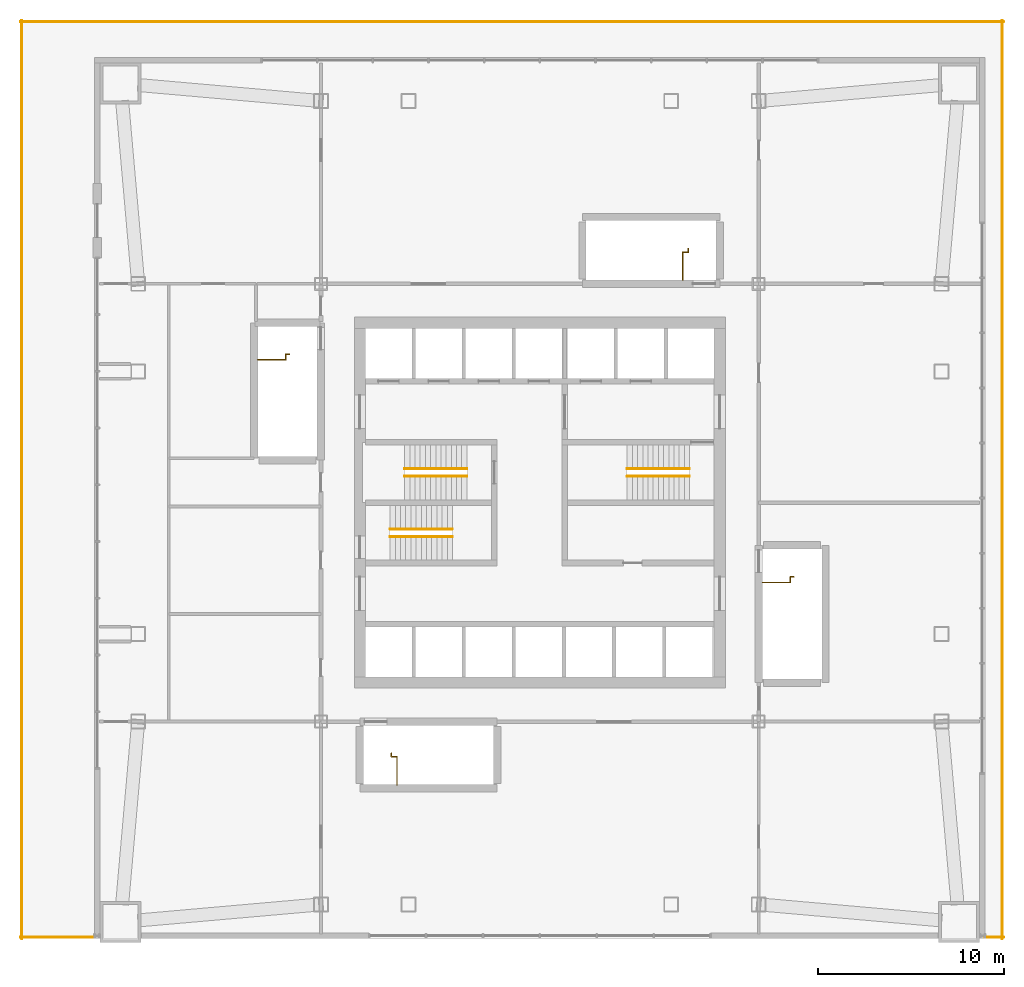
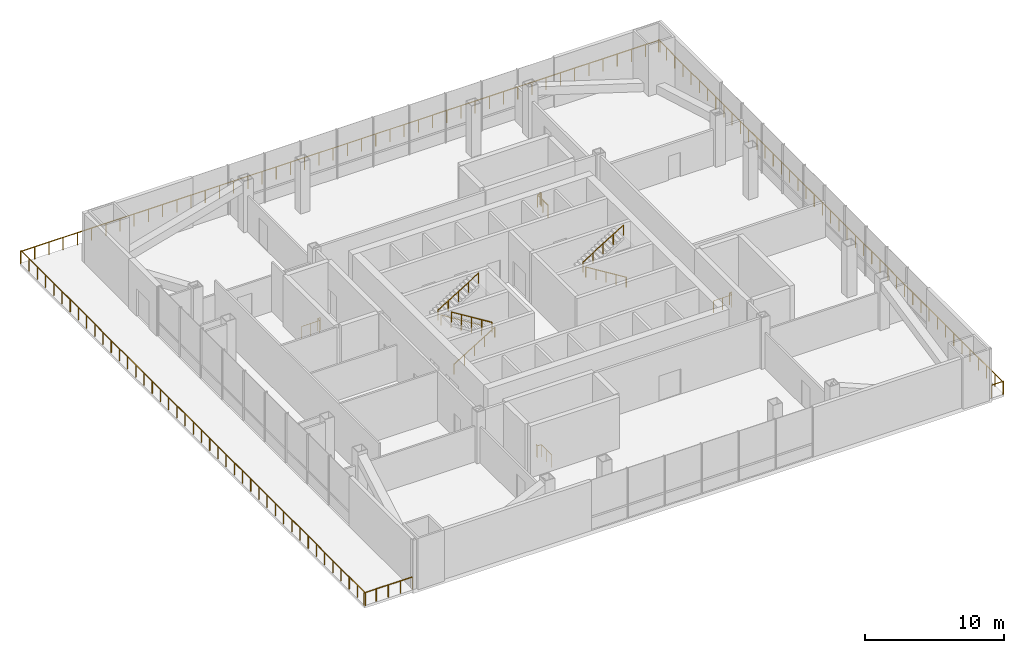
# One storey, part 15 of 15: 15 railings.
"""IFC4 building model written with IfcOpenShell, lengths in metres."""

from ifc_helpers import new_model, si_unit, direction, frame, origin, origin_2d, place, context, subcontext, project, spatial, circle, extrude, material, type_object, element, save


model = new_model("IFC4")

# Units and contexts
model_context = context("Model", 3, precision=1e-05, world=origin(), true_north=direction((0.0, 1.0)))
body_context = subcontext(model_context, "Body", "Model", "MODEL_VIEW")
ifc_project = project(units=[si_unit("LENGTHUNIT", "METRE"), si_unit("AREAUNIT", "SQUARE_METRE"), si_unit("VOLUMEUNIT", "CUBIC_METRE"), si_unit("PLANEANGLEUNIT", "RADIAN"), si_unit("MASSUNIT", "GRAM", prefix="KILO")], contexts=[model_context])

# Site, building, storey
site_placement = place(None, origin())
site = spatial("IfcSite", under=ifc_project, at=site_placement, CompositionType="ELEMENT")
building_placement = place(site_placement, origin())
building = spatial("IfcBuilding", under=site, at=building_placement, Name="Turquesa Mirador Hotel Tower", CompositionType="ELEMENT")
storey_placement = place(building_placement, frame((0.0, 0.0, 20.5)))
storey = spatial("IfcBuildingStorey", under=building, at=storey_placement, Name="L04", CompositionType="ELEMENT", Elevation=20.5)

# Railings
ifc_material_1 = material(Name="Bronze-finish steel and laminated glass", Category="steel")
railing_type_1 = type_object("IfcRailingType", Name="GUARD 1100 BRONZE AND GLASS", PredefinedType="GUARDRAIL", material=ifc_material_1)
railing_1_placement = place(storey_placement, frame((27.080078125, 21.5, 0.0)))
element("IfcRailing", 1, at=railing_1_placement, inside=storey, type_object=railing_type_1, Name="Terrace guard L04", PredefinedType="GUARDRAIL", context=body_context, shape_type="SweptSolid", body=[
    extrude(circle(Radius=0.02392578125, at=origin_2d()), frame((0.0, 0.0, 1.076171875), z_axis=(0.0, 1.0, 0.0), x_axis=(-1.0, 0.0, 0.0)), (0.0, 0.0, 1.0), 49.5),
    extrude(circle(Radius=0.02099609375, at=origin_2d()), origin(), (0.0, 0.0, 1.0), 1.052001953125),
    extrude(circle(Radius=0.02099609375, at=origin_2d()), frame((0.0, 1.178466796875, 0.0)), (0.0, 0.0, 1.0), 1.052001953125),
    extrude(circle(Radius=0.02099609375, at=origin_2d()), frame((0.0, 2.357177734375, 0.0)), (0.0, 0.0, 1.0), 1.052001953125),
    extrude(circle(Radius=0.02099609375, at=origin_2d()), frame((0.0, 3.53564453125, 0.0)), (0.0, 0.0, 1.0), 1.052001953125),
    extrude(circle(Radius=0.02099609375, at=origin_2d()), frame((0.0, 4.71435546875, 0.0)), (0.0, 0.0, 1.0), 1.052001953125),
    extrude(circle(Radius=0.02099609375, at=origin_2d()), frame((0.0, 5.892822265625, 0.0)), (0.0, 0.0, 1.0), 1.052001953125),
    extrude(circle(Radius=0.02099609375, at=origin_2d()), frame((0.0, 7.071533203125, 0.0)), (0.0, 0.0, 1.0), 1.052001953125),
    extrude(circle(Radius=0.02099609375, at=origin_2d()), frame((0.0, 8.25, 0.0)), (0.0, 0.0, 1.0), 1.052001953125),
    extrude(circle(Radius=0.02099609375, at=origin_2d()), frame((0.0, 9.428466796875, 0.0)), (0.0, 0.0, 1.0), 1.052001953125),
    extrude(circle(Radius=0.02099609375, at=origin_2d()), frame((0.0, 10.607177734375, 0.0)), (0.0, 0.0, 1.0), 1.052001953125),
    extrude(circle(Radius=0.02099609375, at=origin_2d()), frame((0.0, 11.78564453125, 0.0)), (0.0, 0.0, 1.0), 1.052001953125),
    extrude(circle(Radius=0.02099609375, at=origin_2d()), frame((0.0, 12.96435546875, 0.0)), (0.0, 0.0, 1.0), 1.052001953125),
    extrude(circle(Radius=0.02099609375, at=origin_2d()), frame((0.0, 14.142822265625, 0.0)), (0.0, 0.0, 1.0), 1.052001953125),
    extrude(circle(Radius=0.02099609375, at=origin_2d()), frame((0.0, 15.321533203125, 0.0)), (0.0, 0.0, 1.0), 1.052001953125),
    extrude(circle(Radius=0.02099609375, at=origin_2d()), frame((0.0, 16.5, 0.0)), (0.0, 0.0, 1.0), 1.052001953125),
    extrude(circle(Radius=0.02099609375, at=origin_2d()), frame((0.0, 17.678466796875, 0.0)), (0.0, 0.0, 1.0), 1.052001953125),
    extrude(circle(Radius=0.02099609375, at=origin_2d()), frame((0.0, 18.857177734375, 0.0)), (0.0, 0.0, 1.0), 1.052001953125),
    extrude(circle(Radius=0.02099609375, at=origin_2d()), frame((0.0, 20.03564453125, 0.0)), (0.0, 0.0, 1.0), 1.052001953125),
    extrude(circle(Radius=0.02099609375, at=origin_2d()), frame((0.0, 21.21435546875, 0.0)), (0.0, 0.0, 1.0), 1.052001953125),
    extrude(circle(Radius=0.02099609375, at=origin_2d()), frame((0.0, 22.392822265625, 0.0)), (0.0, 0.0, 1.0), 1.052001953125),
    extrude(circle(Radius=0.02099609375, at=origin_2d()), frame((0.0, 23.571533203125, 0.0)), (0.0, 0.0, 1.0), 1.052001953125),
    extrude(circle(Radius=0.02099609375, at=origin_2d()), frame((0.0, 24.75, 0.0)), (0.0, 0.0, 1.0), 1.052001953125),
    extrude(circle(Radius=0.02099609375, at=origin_2d()), frame((0.0, 25.928466796875, 0.0)), (0.0, 0.0, 1.0), 1.052001953125),
    extrude(circle(Radius=0.02099609375, at=origin_2d()), frame((0.0, 27.107177734375, 0.0)), (0.0, 0.0, 1.0), 1.052001953125),
    extrude(circle(Radius=0.02099609375, at=origin_2d()), frame((0.0, 28.28564453125, 0.0)), (0.0, 0.0, 1.0), 1.052001953125),
    extrude(circle(Radius=0.02099609375, at=origin_2d()), frame((0.0, 29.46435546875, 0.0)), (0.0, 0.0, 1.0), 1.052001953125),
    extrude(circle(Radius=0.02099609375, at=origin_2d()), frame((0.0, 30.642822265625, 0.0)), (0.0, 0.0, 1.0), 1.052001953125),
    extrude(circle(Radius=0.02099609375, at=origin_2d()), frame((0.0, 31.821533203125, 0.0)), (0.0, 0.0, 1.0), 1.052001953125),
    extrude(circle(Radius=0.02099609375, at=origin_2d()), frame((0.0, 33.0, 0.0)), (0.0, 0.0, 1.0), 1.052001953125),
    extrude(circle(Radius=0.02099609375, at=origin_2d()), frame((0.0, 34.178466796875, 0.0)), (0.0, 0.0, 1.0), 1.052001953125),
    extrude(circle(Radius=0.02099609375, at=origin_2d()), frame((0.0, 35.357177734375, 0.0)), (0.0, 0.0, 1.0), 1.052001953125),
    extrude(circle(Radius=0.02099609375, at=origin_2d()), frame((0.0, 36.53564453125, 0.0)), (0.0, 0.0, 1.0), 1.052001953125),
    extrude(circle(Radius=0.02099609375, at=origin_2d()), frame((0.0, 37.71435546875, 0.0)), (0.0, 0.0, 1.0), 1.052001953125),
    extrude(circle(Radius=0.02099609375, at=origin_2d()), frame((0.0, 38.892822265625, 0.0)), (0.0, 0.0, 1.0), 1.052001953125),
    extrude(circle(Radius=0.02099609375, at=origin_2d()), frame((0.0, 40.071533203125, 0.0)), (0.0, 0.0, 1.0), 1.052001953125),
    extrude(circle(Radius=0.02099609375, at=origin_2d()), frame((0.0, 41.25, 0.0)), (0.0, 0.0, 1.0), 1.052001953125),
    extrude(circle(Radius=0.02099609375, at=origin_2d()), frame((0.0, 42.428466796875, 0.0)), (0.0, 0.0, 1.0), 1.052001953125),
    extrude(circle(Radius=0.02099609375, at=origin_2d()), frame((0.0, 43.607177734375, 0.0)), (0.0, 0.0, 1.0), 1.052001953125),
    extrude(circle(Radius=0.02099609375, at=origin_2d()), frame((0.0, 44.78564453125, 0.0)), (0.0, 0.0, 1.0), 1.052001953125),
    extrude(circle(Radius=0.02099609375, at=origin_2d()), frame((0.0, 45.96435546875, 0.0)), (0.0, 0.0, 1.0), 1.052001953125),
    extrude(circle(Radius=0.02099609375, at=origin_2d()), frame((0.0, 47.142822265625, 0.0)), (0.0, 0.0, 1.0), 1.052001953125),
    extrude(circle(Radius=0.02099609375, at=origin_2d()), frame((0.0, 48.321533203125, 0.0)), (0.0, 0.0, 1.0), 1.052001953125),
    extrude(circle(Radius=0.02099609375, at=origin_2d()), frame((0.0, 49.5, 0.0)), (0.0, 0.0, 1.0), 1.052001953125),
])
railing_2_placement = place(storey_placement, frame((27.0, 70.919921875, 0.0)))
element("IfcRailing", 2, at=railing_2_placement, inside=storey, type_object=railing_type_1, Name="Terrace guard L04", PredefinedType="GUARDRAIL", context=body_context, shape_type="SweptSolid", body=[
    extrude(circle(Radius=0.02392578125, at=origin_2d()), frame((0.0, 0.0, 1.076171875), z_axis=(1.0, 0.0, 0.0), x_axis=(0.0, 1.0, 0.0)), (0.0, 0.0, 1.0), 53.0),
    extrude(circle(Radius=0.02099609375, at=origin_2d()), origin(), (0.0, 0.0, 1.0), 1.052001953125),
    extrude(circle(Radius=0.02099609375, at=origin_2d()), frame((1.177734375, 0.0, 0.0)), (0.0, 0.0, 1.0), 1.052001953125),
    extrude(circle(Radius=0.02099609375, at=origin_2d()), frame((2.35546875, 0.0, 0.0)), (0.0, 0.0, 1.0), 1.052001953125),
    extrude(circle(Radius=0.02099609375, at=origin_2d()), frame((3.533447265625, 0.0, 0.0)), (0.0, 0.0, 1.0), 1.052001953125),
    extrude(circle(Radius=0.02099609375, at=origin_2d()), frame((4.711181640625, 0.0, 0.0)), (0.0, 0.0, 1.0), 1.052001953125),
    extrude(circle(Radius=0.02099609375, at=origin_2d()), frame((5.888916015625, 0.0, 0.0)), (0.0, 0.0, 1.0), 1.052001953125),
    extrude(circle(Radius=0.02099609375, at=origin_2d()), frame((7.066650390625, 0.0, 0.0)), (0.0, 0.0, 1.0), 1.052001953125),
    extrude(circle(Radius=0.02099609375, at=origin_2d()), frame((8.244384765625, 0.0, 0.0)), (0.0, 0.0, 1.0), 1.052001953125),
    extrude(circle(Radius=0.02099609375, at=origin_2d()), frame((9.422119140625, 0.0, 0.0)), (0.0, 0.0, 1.0), 1.052001953125),
    extrude(circle(Radius=0.02099609375, at=origin_2d()), frame((10.60009765625, 0.0, 0.0)), (0.0, 0.0, 1.0), 1.052001953125),
    extrude(circle(Radius=0.02099609375, at=origin_2d()), frame((11.77783203125, 0.0, 0.0)), (0.0, 0.0, 1.0), 1.052001953125),
    extrude(circle(Radius=0.02099609375, at=origin_2d()), frame((12.95556640625, 0.0, 0.0)), (0.0, 0.0, 1.0), 1.052001953125),
    extrude(circle(Radius=0.02099609375, at=origin_2d()), frame((14.13330078125, 0.0, 0.0)), (0.0, 0.0, 1.0), 1.052001953125),
    extrude(circle(Radius=0.02099609375, at=origin_2d()), frame((15.31103515625, 0.0, 0.0)), (0.0, 0.0, 1.0), 1.052001953125),
    extrude(circle(Radius=0.02099609375, at=origin_2d()), frame((16.48876953125, 0.0, 0.0)), (0.0, 0.0, 1.0), 1.052001953125),
    extrude(circle(Radius=0.02099609375, at=origin_2d()), frame((17.666748046875, 0.0, 0.0)), (0.0, 0.0, 1.0), 1.052001953125),
    extrude(circle(Radius=0.02099609375, at=origin_2d()), frame((18.844482421875, 0.0, 0.0)), (0.0, 0.0, 1.0), 1.052001953125),
    extrude(circle(Radius=0.02099609375, at=origin_2d()), frame((20.022216796875, 0.0, 0.0)), (0.0, 0.0, 1.0), 1.052001953125),
    extrude(circle(Radius=0.02099609375, at=origin_2d()), frame((21.199951171875, 0.0, 0.0)), (0.0, 0.0, 1.0), 1.052001953125),
    extrude(circle(Radius=0.02099609375, at=origin_2d()), frame((22.377685546875, 0.0, 0.0)), (0.0, 0.0, 1.0), 1.052001953125),
    extrude(circle(Radius=0.02099609375, at=origin_2d()), frame((23.5556640625, 0.0, 0.0)), (0.0, 0.0, 1.0), 1.052001953125),
    extrude(circle(Radius=0.02099609375, at=origin_2d()), frame((24.7333984375, 0.0, 0.0)), (0.0, 0.0, 1.0), 1.052001953125),
    extrude(circle(Radius=0.02099609375, at=origin_2d()), frame((25.9111328125, 0.0, 0.0)), (0.0, 0.0, 1.0), 1.052001953125),
    extrude(circle(Radius=0.02099609375, at=origin_2d()), frame((27.0888671875, 0.0, 0.0)), (0.0, 0.0, 1.0), 1.052001953125),
    extrude(circle(Radius=0.02099609375, at=origin_2d()), frame((28.2666015625, 0.0, 0.0)), (0.0, 0.0, 1.0), 1.052001953125),
    extrude(circle(Radius=0.02099609375, at=origin_2d()), frame((29.4443359375, 0.0, 0.0)), (0.0, 0.0, 1.0), 1.052001953125),
    extrude(circle(Radius=0.02099609375, at=origin_2d()), frame((30.622314453125, 0.0, 0.0)), (0.0, 0.0, 1.0), 1.052001953125),
    extrude(circle(Radius=0.02099609375, at=origin_2d()), frame((31.800048828125, 0.0, 0.0)), (0.0, 0.0, 1.0), 1.052001953125),
    extrude(circle(Radius=0.02099609375, at=origin_2d()), frame((32.977783203125, 0.0, 0.0)), (0.0, 0.0, 1.0), 1.052001953125),
    extrude(circle(Radius=0.02099609375, at=origin_2d()), frame((34.155517578125, 0.0, 0.0)), (0.0, 0.0, 1.0), 1.052001953125),
    extrude(circle(Radius=0.02099609375, at=origin_2d()), frame((35.333251953125, 0.0, 0.0)), (0.0, 0.0, 1.0), 1.052001953125),
    extrude(circle(Radius=0.02099609375, at=origin_2d()), frame((36.51123046875, 0.0, 0.0)), (0.0, 0.0, 1.0), 1.052001953125),
    extrude(circle(Radius=0.02099609375, at=origin_2d()), frame((37.68896484375, 0.0, 0.0)), (0.0, 0.0, 1.0), 1.052001953125),
    extrude(circle(Radius=0.02099609375, at=origin_2d()), frame((38.86669921875, 0.0, 0.0)), (0.0, 0.0, 1.0), 1.052001953125),
    extrude(circle(Radius=0.02099609375, at=origin_2d()), frame((40.04443359375, 0.0, 0.0)), (0.0, 0.0, 1.0), 1.052001953125),
    extrude(circle(Radius=0.02099609375, at=origin_2d()), frame((41.22216796875, 0.0, 0.0)), (0.0, 0.0, 1.0), 1.052001953125),
    extrude(circle(Radius=0.02099609375, at=origin_2d()), frame((42.39990234375, 0.0, 0.0)), (0.0, 0.0, 1.0), 1.052001953125),
    extrude(circle(Radius=0.02099609375, at=origin_2d()), frame((43.577880859375, 0.0, 0.0)), (0.0, 0.0, 1.0), 1.052001953125),
    extrude(circle(Radius=0.02099609375, at=origin_2d()), frame((44.755615234375, 0.0, 0.0)), (0.0, 0.0, 1.0), 1.052001953125),
    extrude(circle(Radius=0.02099609375, at=origin_2d()), frame((45.933349609375, 0.0, 0.0)), (0.0, 0.0, 1.0), 1.052001953125),
    extrude(circle(Radius=0.02099609375, at=origin_2d()), frame((47.111083984375, 0.0, 0.0)), (0.0, 0.0, 1.0), 1.052001953125),
    extrude(circle(Radius=0.02099609375, at=origin_2d()), frame((48.288818359375, 0.0, 0.0)), (0.0, 0.0, 1.0), 1.052001953125),
    extrude(circle(Radius=0.02099609375, at=origin_2d()), frame((49.466552734375, 0.0, 0.0)), (0.0, 0.0, 1.0), 1.052001953125),
    extrude(circle(Radius=0.02099609375, at=origin_2d()), frame((50.64453125, 0.0, 0.0)), (0.0, 0.0, 1.0), 1.052001953125),
    extrude(circle(Radius=0.02099609375, at=origin_2d()), frame((51.822265625, 0.0, 0.0)), (0.0, 0.0, 1.0), 1.052001953125),
    extrude(circle(Radius=0.02099609375, at=origin_2d()), frame((53.0, 0.0, 0.0)), (0.0, 0.0, 1.0), 1.052001953125),
])
railing_3_placement = place(storey_placement, frame((79.919921875, 71.0, 0.0)))
element("IfcRailing", 3, at=railing_3_placement, inside=storey, type_object=railing_type_1, Name="Terrace guard L04", PredefinedType="GUARDRAIL", context=body_context, shape_type="SweptSolid", body=[
    extrude(circle(Radius=0.02392578125, at=origin_2d()), frame((0.0, 0.0, 1.076171875), z_axis=(0.0, -1.0, 0.0), x_axis=(1.0, 0.0, 0.0)), (0.0, 0.0, 1.0), 49.5),
    extrude(circle(Radius=0.02099609375, at=origin_2d()), origin(), (0.0, 0.0, 1.0), 1.052001953125),
    extrude(circle(Radius=0.02099609375, at=origin_2d()), frame((0.0, -1.178466796875, 0.0)), (0.0, 0.0, 1.0), 1.052001953125),
    extrude(circle(Radius=0.02099609375, at=origin_2d()), frame((0.0, -2.357177734375, 0.0)), (0.0, 0.0, 1.0), 1.052001953125),
    extrude(circle(Radius=0.02099609375, at=origin_2d()), frame((0.0, -3.53564453125, 0.0)), (0.0, 0.0, 1.0), 1.052001953125),
    extrude(circle(Radius=0.02099609375, at=origin_2d()), frame((0.0, -4.71435546875, 0.0)), (0.0, 0.0, 1.0), 1.052001953125),
    extrude(circle(Radius=0.02099609375, at=origin_2d()), frame((0.0, -5.892822265625, 0.0)), (0.0, 0.0, 1.0), 1.052001953125),
    extrude(circle(Radius=0.02099609375, at=origin_2d()), frame((0.0, -7.071533203125, 0.0)), (0.0, 0.0, 1.0), 1.052001953125),
    extrude(circle(Radius=0.02099609375, at=origin_2d()), frame((0.0, -8.25, 0.0)), (0.0, 0.0, 1.0), 1.052001953125),
    extrude(circle(Radius=0.02099609375, at=origin_2d()), frame((0.0, -9.428466796875, 0.0)), (0.0, 0.0, 1.0), 1.052001953125),
    extrude(circle(Radius=0.02099609375, at=origin_2d()), frame((0.0, -10.607177734375, 0.0)), (0.0, 0.0, 1.0), 1.052001953125),
    extrude(circle(Radius=0.02099609375, at=origin_2d()), frame((0.0, -11.78564453125, 0.0)), (0.0, 0.0, 1.0), 1.052001953125),
    extrude(circle(Radius=0.02099609375, at=origin_2d()), frame((0.0, -12.96435546875, 0.0)), (0.0, 0.0, 1.0), 1.052001953125),
    extrude(circle(Radius=0.02099609375, at=origin_2d()), frame((0.0, -14.142822265625, 0.0)), (0.0, 0.0, 1.0), 1.052001953125),
    extrude(circle(Radius=0.02099609375, at=origin_2d()), frame((0.0, -15.321533203125, 0.0)), (0.0, 0.0, 1.0), 1.052001953125),
    extrude(circle(Radius=0.02099609375, at=origin_2d()), frame((0.0, -16.5, 0.0)), (0.0, 0.0, 1.0), 1.052001953125),
    extrude(circle(Radius=0.02099609375, at=origin_2d()), frame((0.0, -17.678466796875, 0.0)), (0.0, 0.0, 1.0), 1.052001953125),
    extrude(circle(Radius=0.02099609375, at=origin_2d()), frame((0.0, -18.857177734375, 0.0)), (0.0, 0.0, 1.0), 1.052001953125),
    extrude(circle(Radius=0.02099609375, at=origin_2d()), frame((0.0, -20.03564453125, 0.0)), (0.0, 0.0, 1.0), 1.052001953125),
    extrude(circle(Radius=0.02099609375, at=origin_2d()), frame((0.0, -21.21435546875, 0.0)), (0.0, 0.0, 1.0), 1.052001953125),
    extrude(circle(Radius=0.02099609375, at=origin_2d()), frame((0.0, -22.392822265625, 0.0)), (0.0, 0.0, 1.0), 1.052001953125),
    extrude(circle(Radius=0.02099609375, at=origin_2d()), frame((0.0, -23.571533203125, 0.0)), (0.0, 0.0, 1.0), 1.052001953125),
    extrude(circle(Radius=0.02099609375, at=origin_2d()), frame((0.0, -24.75, 0.0)), (0.0, 0.0, 1.0), 1.052001953125),
    extrude(circle(Radius=0.02099609375, at=origin_2d()), frame((0.0, -25.928466796875, 0.0)), (0.0, 0.0, 1.0), 1.052001953125),
    extrude(circle(Radius=0.02099609375, at=origin_2d()), frame((0.0, -27.107177734375, 0.0)), (0.0, 0.0, 1.0), 1.052001953125),
    extrude(circle(Radius=0.02099609375, at=origin_2d()), frame((0.0, -28.28564453125, 0.0)), (0.0, 0.0, 1.0), 1.052001953125),
    extrude(circle(Radius=0.02099609375, at=origin_2d()), frame((0.0, -29.46435546875, 0.0)), (0.0, 0.0, 1.0), 1.052001953125),
    extrude(circle(Radius=0.02099609375, at=origin_2d()), frame((0.0, -30.642822265625, 0.0)), (0.0, 0.0, 1.0), 1.052001953125),
    extrude(circle(Radius=0.02099609375, at=origin_2d()), frame((0.0, -31.821533203125, 0.0)), (0.0, 0.0, 1.0), 1.052001953125),
    extrude(circle(Radius=0.02099609375, at=origin_2d()), frame((0.0, -33.0, 0.0)), (0.0, 0.0, 1.0), 1.052001953125),
    extrude(circle(Radius=0.02099609375, at=origin_2d()), frame((0.0, -34.178466796875, 0.0)), (0.0, 0.0, 1.0), 1.052001953125),
    extrude(circle(Radius=0.02099609375, at=origin_2d()), frame((0.0, -35.357177734375, 0.0)), (0.0, 0.0, 1.0), 1.052001953125),
    extrude(circle(Radius=0.02099609375, at=origin_2d()), frame((0.0, -36.53564453125, 0.0)), (0.0, 0.0, 1.0), 1.052001953125),
    extrude(circle(Radius=0.02099609375, at=origin_2d()), frame((0.0, -37.71435546875, 0.0)), (0.0, 0.0, 1.0), 1.052001953125),
    extrude(circle(Radius=0.02099609375, at=origin_2d()), frame((0.0, -38.892822265625, 0.0)), (0.0, 0.0, 1.0), 1.052001953125),
    extrude(circle(Radius=0.02099609375, at=origin_2d()), frame((0.0, -40.071533203125, 0.0)), (0.0, 0.0, 1.0), 1.052001953125),
    extrude(circle(Radius=0.02099609375, at=origin_2d()), frame((0.0, -41.25, 0.0)), (0.0, 0.0, 1.0), 1.052001953125),
    extrude(circle(Radius=0.02099609375, at=origin_2d()), frame((0.0, -42.428466796875, 0.0)), (0.0, 0.0, 1.0), 1.052001953125),
    extrude(circle(Radius=0.02099609375, at=origin_2d()), frame((0.0, -43.607177734375, 0.0)), (0.0, 0.0, 1.0), 1.052001953125),
    extrude(circle(Radius=0.02099609375, at=origin_2d()), frame((0.0, -44.78564453125, 0.0)), (0.0, 0.0, 1.0), 1.052001953125),
    extrude(circle(Radius=0.02099609375, at=origin_2d()), frame((0.0, -45.96435546875, 0.0)), (0.0, 0.0, 1.0), 1.052001953125),
    extrude(circle(Radius=0.02099609375, at=origin_2d()), frame((0.0, -47.142822265625, 0.0)), (0.0, 0.0, 1.0), 1.052001953125),
    extrude(circle(Radius=0.02099609375, at=origin_2d()), frame((0.0, -48.321533203125, 0.0)), (0.0, 0.0, 1.0), 1.052001953125),
    extrude(circle(Radius=0.02099609375, at=origin_2d()), frame((0.0, -49.5, 0.0)), (0.0, 0.0, 1.0), 1.052001953125),
])
railing_4_placement = place(storey_placement, frame((80.0, 21.580078125, 0.0)))
element("IfcRailing", 4, at=railing_4_placement, inside=storey, type_object=railing_type_1, Name="Terrace guard L04", PredefinedType="GUARDRAIL", context=body_context, shape_type="SweptSolid", body=[
    extrude(circle(Radius=0.02392578125, at=origin_2d()), frame((0.0, 0.0, 1.076171875), z_axis=(-1.0, 0.0, 0.0), x_axis=(0.0, -1.0, 0.0)), (0.0, 0.0, 1.0), 1.0),
    extrude(circle(Radius=0.02099609375, at=origin_2d()), origin(), (0.0, 0.0, 1.0), 1.052001953125),
    extrude(circle(Radius=0.02099609375, at=origin_2d()), frame((-1.0, 0.0, 0.0)), (0.0, 0.0, 1.0), 1.052001953125),
])
railing_5_placement = place(storey_placement, frame((31.0, 21.580078125, 0.0)))
element("IfcRailing", 5, at=railing_5_placement, inside=storey, type_object=railing_type_1, Name="Terrace guard L04", PredefinedType="GUARDRAIL", context=body_context, shape_type="SweptSolid", body=[
    extrude(circle(Radius=0.02392578125, at=origin_2d()), frame((0.0, 0.0, 1.076171875), z_axis=(-1.0, 0.0, 0.0), x_axis=(0.0, -1.0, 0.0)), (0.0, 0.0, 1.0), 4.0),
    extrude(circle(Radius=0.02099609375, at=origin_2d()), origin(), (0.0, 0.0, 1.0), 1.052001953125),
    extrude(circle(Radius=0.02099609375, at=origin_2d()), frame((-1.0, 0.0, 0.0)), (0.0, 0.0, 1.0), 1.052001953125),
    extrude(circle(Radius=0.02099609375, at=origin_2d()), frame((-2.0, 0.0, 0.0)), (0.0, 0.0, 1.0), 1.052001953125),
    extrude(circle(Radius=0.02099609375, at=origin_2d()), frame((-3.0, 0.0, 0.0)), (0.0, 0.0, 1.0), 1.052001953125),
    extrude(circle(Radius=0.02099609375, at=origin_2d()), frame((-4.0, 0.0, 0.0)), (0.0, 0.0, 1.0), 1.052001953125),
])
railing_6_placement = place(storey_placement, frame((62.699951171875, 57.0, 0.0)))
element("IfcRailing", 6, at=railing_6_placement, inside=storey, type_object=railing_type_1, Name="Stair guard PS1", PredefinedType="GUARDRAIL", context=body_context, shape_type="SweptSolid", body=[
    extrude(circle(Radius=0.02392578125, at=origin_2d()), frame((0.0, 0.0, 1.076171875), z_axis=(0.0, 1.0, 0.0), x_axis=(-1.0, 0.0, 0.0)), (0.0, 0.0, 1.0), 1.5),
    extrude(circle(Radius=0.02392578125, at=origin_2d()), frame((0.0, 1.5, 1.076171875), z_axis=(1.0, 0.0, 0.0), x_axis=(0.0, 1.0, 0.0)), (0.0, 0.0, 1.0), 0.300048828125),
    extrude(circle(Radius=0.02392578125, at=origin_2d()), frame((0.300048828125, 1.5, 1.076171875), z_axis=(0.0, 1.0, 0.0), x_axis=(-1.0, 0.0, 0.0)), (0.0, 0.0, 1.0), 0.199951171875),
    extrude(circle(Radius=0.02099609375, at=origin_2d()), origin(), (0.0, 0.0, 1.0), 1.052001953125),
    extrude(circle(Radius=0.02099609375, at=origin_2d()), frame((0.0, 0.75, 0.0)), (0.0, 0.0, 1.0), 1.052001953125),
    extrude(circle(Radius=0.02099609375, at=origin_2d()), frame((0.0, 1.5, 0.0)), (0.0, 0.0, 1.0), 1.052001953125),
    extrude(circle(Radius=0.02099609375, at=origin_2d()), frame((0.300048828125, 1.5, 0.0)), (0.0, 0.0, 1.0), 1.052001953125),
    extrude(circle(Radius=0.02099609375, at=origin_2d()), frame((0.300048828125, 1.699951171875, 0.0)), (0.0, 0.0, 1.0), 1.052001953125),
])
railing_7_placement = place(storey_placement, frame((47.300048828125, 29.800048828125, 0.0)))
element("IfcRailing", 7, at=railing_7_placement, inside=storey, type_object=railing_type_1, Name="Stair guard PS2", PredefinedType="GUARDRAIL", context=body_context, shape_type="SweptSolid", body=[
    extrude(circle(Radius=0.02392578125, at=origin_2d()), frame((0.0, 0.0, 1.076171875), z_axis=(0.0, 1.0, 0.0), x_axis=(-1.0, 0.0, 0.0)), (0.0, 0.0, 1.0), 1.5),
    extrude(circle(Radius=0.02392578125, at=origin_2d()), frame((0.0, 1.5, 1.076171875), z_axis=(-1.0, 0.0, 0.0), x_axis=(0.0, -1.0, 0.0)), (0.0, 0.0, 1.0), 0.300048828125),
    extrude(circle(Radius=0.02392578125, at=origin_2d()), frame((-0.300048828125, 1.5, 1.076171875), z_axis=(0.0, 1.0, 0.0), x_axis=(-1.0, 0.0, 0.0)), (0.0, 0.0, 1.0), 0.199951171875),
    extrude(circle(Radius=0.02099609375, at=origin_2d()), origin(), (0.0, 0.0, 1.0), 1.052001953125),
    extrude(circle(Radius=0.02099609375, at=origin_2d()), frame((0.0, 0.75, 0.0)), (0.0, 0.0, 1.0), 1.052001953125),
    extrude(circle(Radius=0.02099609375, at=origin_2d()), frame((0.0, 1.5, 0.0)), (0.0, 0.0, 1.0), 1.052001953125),
    extrude(circle(Radius=0.02099609375, at=origin_2d()), frame((-0.300048828125, 1.5, 0.0)), (0.0, 0.0, 1.0), 1.052001953125),
    extrude(circle(Radius=0.02099609375, at=origin_2d()), frame((-0.300048828125, 1.699951171875, 0.0)), (0.0, 0.0, 1.0), 1.052001953125),
])
for number, where, name in (
    (8, (67.0, 40.699951171875, 0.0), "Stair guard PS3"),
    (9, (39.800048828125, 52.699951171875, 0.0), "Stair guard PS4"),
):
    element("IfcRailing", number, at=place(storey_placement, frame(where)), inside=storey, type_object=railing_type_1, Name=name, PredefinedType="GUARDRAIL", context=body_context, shape_type="SweptSolid", body=[
        extrude(circle(Radius=0.02392578125, at=origin_2d()), frame((0.0, 0.0, 1.076171875), z_axis=(1.0, 0.0, 0.0), x_axis=(0.0, 1.0, 0.0)), (0.0, 0.0, 1.0), 1.5),
        extrude(circle(Radius=0.02392578125, at=origin_2d()), frame((1.5, 0.0, 1.076171875), z_axis=(0.0, 1.0, 0.0), x_axis=(-1.0, 0.0, 0.0)), (0.0, 0.0, 1.0), 0.300048828125),
        extrude(circle(Radius=0.02392578125, at=origin_2d()), frame((1.5, 0.300048828125, 1.076171875), z_axis=(1.0, 0.0, 0.0), x_axis=(0.0, 1.0, 0.0)), (0.0, 0.0, 1.0), 0.199951171875),
        extrude(circle(Radius=0.02099609375, at=origin_2d()), origin(), (0.0, 0.0, 1.0), 1.052001953125),
        extrude(circle(Radius=0.02099609375, at=origin_2d()), frame((0.75, 0.0, 0.0)), (0.0, 0.0, 1.0), 1.052001953125),
        extrude(circle(Radius=0.02099609375, at=origin_2d()), frame((1.5, 0.0, 0.0)), (0.0, 0.0, 1.0), 1.052001953125),
        extrude(circle(Radius=0.02099609375, at=origin_2d()), frame((1.5, 0.300048828125, 0.0)), (0.0, 0.0, 1.0), 1.052001953125),
        extrude(circle(Radius=0.02099609375, at=origin_2d()), frame((1.699951171875, 0.300048828125, 0.0)), (0.0, 0.0, 1.0), 1.052001953125),
    ])
ifc_material_2 = material(Name="Painted steel handrail", Category="steel")
railing_type_2 = type_object("IfcRailingType", Name="HANDRAIL 900 STEEL", PredefinedType="HANDRAIL", material=ifc_material_2)
railing_8_placement = place(storey_placement, frame((51.070068359375, 46.419921875, 0.173095703125)))
element("IfcRailing", 10, at=railing_8_placement, inside=storey, type_object=railing_type_2, Name="Handrail ST1", PredefinedType="HANDRAIL", context=body_context, shape_type="SweptSolid", body=[
    extrude(circle(Radius=0.02392578125, at=origin_2d()), frame((0.0, 0.0, 0.8759765625), z_axis=(-0.850623216509, 0.0, 0.525775754039), x_axis=(0.0, -1.0, 0.0)), (0.0, 0.0, 1.0), 3.9501953125),
    extrude(circle(Radius=0.02099609375, at=origin_2d()), origin(), (0.0, 0.0, 1.0), 0.851806640625),
    extrude(circle(Radius=0.02099609375, at=origin_2d()), frame((-0.840087890625, 0.0, 0.519287109375)), (0.0, 0.0, 1.0), 0.851806640625),
    extrude(circle(Radius=0.02099609375, at=origin_2d()), frame((-1.68017578125, 0.0, 1.03857421875)), (0.0, 0.0, 1.0), 0.851806640625),
    extrude(circle(Radius=0.02099609375, at=origin_2d()), frame((-2.52001953125, 0.0, 1.5576171875)), (0.0, 0.0, 1.0), 0.851806640625),
    extrude(circle(Radius=0.02099609375, at=origin_2d()), frame((-3.360107421875, 0.0, 2.076904296875)), (0.0, 0.0, 1.0), 0.851806640625),
])
for number, where, name in (
    (11, (47.7099609375, 46.830078125, 2.423095703125), "Handrail ST1"),
    (12, (46.929931640625, 43.169921875, 0.173095703125), "Handrail ST2"),
):
    element("IfcRailing", number, at=place(storey_placement, frame(where)), inside=storey, type_object=railing_type_2, Name=name, PredefinedType="HANDRAIL", context=body_context, shape_type="SweptSolid", body=[
        extrude(circle(Radius=0.02392578125, at=origin_2d()), frame((0.0, 0.0, 0.8759765625), z_axis=(0.850623216509, 0.0, 0.525775754039), x_axis=(0.0, 1.0, 0.0)), (0.0, 0.0, 1.0), 3.9501953125),
        extrude(circle(Radius=0.02099609375, at=origin_2d()), origin(), (0.0, 0.0, 1.0), 0.851806640625),
        extrude(circle(Radius=0.02099609375, at=origin_2d()), frame((0.840087890625, 0.0, 0.519287109375)), (0.0, 0.0, 1.0), 0.851806640625),
        extrude(circle(Radius=0.02099609375, at=origin_2d()), frame((1.68017578125, 0.0, 1.03857421875)), (0.0, 0.0, 1.0), 0.851806640625),
        extrude(circle(Radius=0.02099609375, at=origin_2d()), frame((2.52001953125, 0.0, 1.5576171875)), (0.0, 0.0, 1.0), 0.851806640625),
        extrude(circle(Radius=0.02099609375, at=origin_2d()), frame((3.360107421875, 0.0, 2.076904296875)), (0.0, 0.0, 1.0), 0.851806640625),
    ])
for number, where, name in (
    (13, (50.2900390625, 43.580078125, 2.423095703125), "Handrail ST2"),
    (14, (63.070068359375, 46.419921875, 0.173095703125), "Handrail ST3"),
):
    element("IfcRailing", number, at=place(storey_placement, frame(where)), inside=storey, type_object=railing_type_2, Name=name, PredefinedType="HANDRAIL", context=body_context, shape_type="SweptSolid", body=[
        extrude(circle(Radius=0.02392578125, at=origin_2d()), frame((0.0, 0.0, 0.8759765625), z_axis=(-0.850623216509, 0.0, 0.525775754039), x_axis=(0.0, -1.0, 0.0)), (0.0, 0.0, 1.0), 3.9501953125),
        extrude(circle(Radius=0.02099609375, at=origin_2d()), origin(), (0.0, 0.0, 1.0), 0.851806640625),
        extrude(circle(Radius=0.02099609375, at=origin_2d()), frame((-0.840087890625, 0.0, 0.519287109375)), (0.0, 0.0, 1.0), 0.851806640625),
        extrude(circle(Radius=0.02099609375, at=origin_2d()), frame((-1.68017578125, 0.0, 1.03857421875)), (0.0, 0.0, 1.0), 0.851806640625),
        extrude(circle(Radius=0.02099609375, at=origin_2d()), frame((-2.52001953125, 0.0, 1.5576171875)), (0.0, 0.0, 1.0), 0.851806640625),
        extrude(circle(Radius=0.02099609375, at=origin_2d()), frame((-3.360107421875, 0.0, 2.076904296875)), (0.0, 0.0, 1.0), 0.851806640625),
    ])
railing_9_placement = place(storey_placement, frame((59.7099609375, 46.830078125, 2.423095703125)))
element("IfcRailing", 15, at=railing_9_placement, inside=storey, type_object=railing_type_2, Name="Handrail ST3", PredefinedType="HANDRAIL", context=body_context, shape_type="SweptSolid", body=[
    extrude(circle(Radius=0.02392578125, at=origin_2d()), frame((0.0, 0.0, 0.8759765625), z_axis=(0.850623216509, 0.0, 0.525775754039), x_axis=(0.0, 1.0, 0.0)), (0.0, 0.0, 1.0), 3.9501953125),
    extrude(circle(Radius=0.02099609375, at=origin_2d()), origin(), (0.0, 0.0, 1.0), 0.851806640625),
    extrude(circle(Radius=0.02099609375, at=origin_2d()), frame((0.840087890625, 0.0, 0.519287109375)), (0.0, 0.0, 1.0), 0.851806640625),
    extrude(circle(Radius=0.02099609375, at=origin_2d()), frame((1.68017578125, 0.0, 1.03857421875)), (0.0, 0.0, 1.0), 0.851806640625),
    extrude(circle(Radius=0.02099609375, at=origin_2d()), frame((2.52001953125, 0.0, 1.5576171875)), (0.0, 0.0, 1.0), 0.851806640625),
    extrude(circle(Radius=0.02099609375, at=origin_2d()), frame((3.360107421875, 0.0, 2.076904296875)), (0.0, 0.0, 1.0), 0.851806640625),
])

save(model, "model.ifc")
